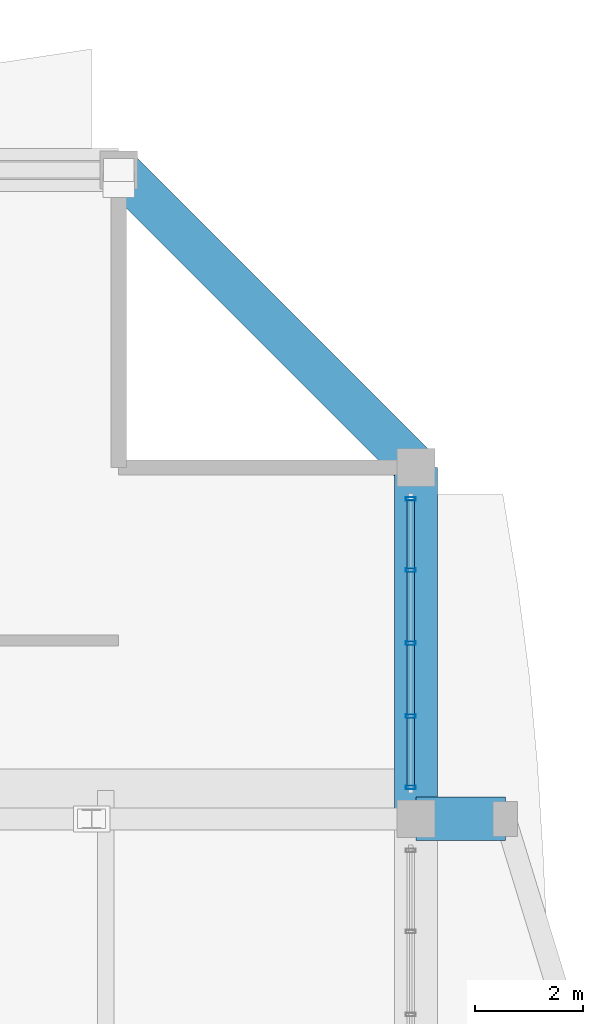
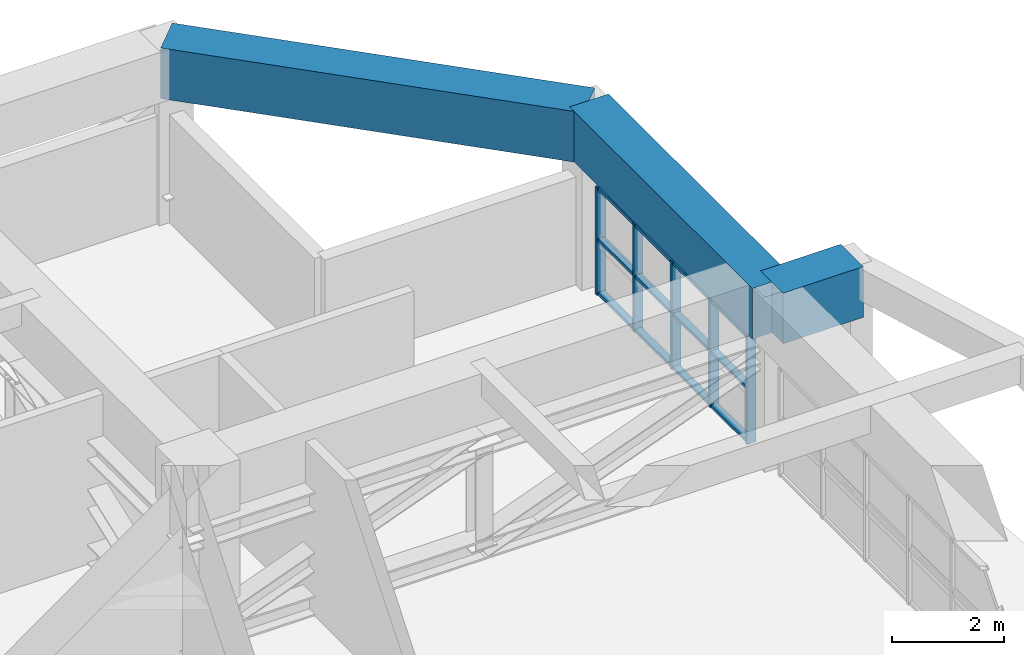
# One storey, part 18 of 25: 17 members, 3 beams, 1 element without a shape of its own.
"""IFC4 building model written with IfcOpenShell, lengths in metres."""

from ifc_helpers import new_model, si_unit, direction, frame, origin, origin_2d, place, context, subcontext, project, spatial, rectangle, hollow_rectangle, extrude, source, transform, mapped, material, layer, layer_set, material_profile, profile_set, type_object, element, aggregate, save


model = new_model("IFC4")

# Units and contexts
model_context = context("Model", 3, precision=1e-05, world=origin(), true_north=direction((0.0, 1.0)))
body_context = subcontext(model_context, "Body", "Model", "MODEL_VIEW")
ifc_project = project(units=[si_unit("LENGTHUNIT", "METRE"), si_unit("AREAUNIT", "SQUARE_METRE"), si_unit("VOLUMEUNIT", "CUBIC_METRE"), si_unit("PLANEANGLEUNIT", "RADIAN"), si_unit("MASSUNIT", "GRAM", prefix="KILO")], contexts=[model_context])

# Site, building, storey
site_placement = place(None, origin())
site = spatial("IfcSite", under=ifc_project, at=site_placement, CompositionType="ELEMENT")
building_placement = place(site_placement, origin())
building = spatial("IfcBuilding", under=site, at=building_placement, Name="Saelheon Loggia Tower", CompositionType="ELEMENT")
storey_placement = place(building_placement, frame((0.0, 0.0, 206.5)))
storey = spatial("IfcBuildingStorey", under=building, at=storey_placement, Name="L64", CompositionType="ELEMENT", Elevation=206.5)

# Beams
ifc_material_1 = material(Name="Concrete C50/60", Category="concrete")
ifc_material_profile_1 = material_profile(ifc_material_1, rectangle(XDim=0.800048828125, YDim=1.10009765625, at=origin_2d()), Name="RC-800x1100")
ifc_profile_set_1 = profile_set([ifc_material_profile_1], Name="Concrete C50/60")
beam_type = type_object("IfcBeamType", Name="Beam_PerimSetback_RC800x1100", PredefinedType="BEAM", material=ifc_profile_set_1)
shared_shape_1 = source(origin(), body_context, "Body", "SweptSolid", [
    extrude(rectangle(XDim=0.800048828125, YDim=1.10009765625, at=origin_2d()), origin(), (0.0, 0.0, 1.0), 1.64990234375),
])
beam_1_placement = place(storey_placement, frame((56.5, 36.0, 3.25), z_axis=(1.0, 0.0, 0.0), x_axis=(0.0, 1.0, 0.0)))
element("IfcBeam", 1, at=beam_1_placement, inside=storey, type_object=beam_type, Name="L64 Loggia Frame Tie Beam LP-E2", PredefinedType="BEAM", context=body_context, shape_type="MappedRepresentation", body=[
    mapped(shared_shape_1, transform((0.0, 0.0, 0.0), scale=1.0)),
])
shared_shape_2 = source(origin(), body_context, "Body", "SweptSolid", [
    extrude(rectangle(XDim=0.800048828125, YDim=1.10009765625, at=origin_2d()), origin(), (0.0, 0.0, 1.0), 6.5),
])
beam_2_placement = place(storey_placement, frame((56.5, 36.0, 3.25), z_axis=(0.0, 1.0, 0.0), x_axis=(-1.0, 0.0, 0.0)))
element("IfcBeam", 2, at=beam_2_placement, inside=storey, type_object=beam_type, Name="L64 Perimeter Frame Girder 07", PredefinedType="BEAM", context=body_context, shape_type="MappedRepresentation", body=[
    mapped(shared_shape_2, transform((0.0, 0.0, 0.0), scale=1.0)),
])
shared_shape_3 = source(origin(), body_context, "Body", "SweptSolid", [
    extrude(rectangle(XDim=0.800048828125, YDim=1.10009765625, at=origin_2d()), origin(), (0.0, 0.0, 1.0), 7.778076171875),
])
beam_3_placement = place(storey_placement, frame((56.5, 42.5, 3.25), z_axis=(-0.707106781187, 0.707106781187, 0.0), x_axis=(-0.707106781187, -0.707106781187, 0.0)))
element("IfcBeam", 3, at=beam_3_placement, inside=storey, type_object=beam_type, Name="L64 Perimeter Frame Girder 08", PredefinedType="BEAM", context=body_context, shape_type="MappedRepresentation", body=[
    mapped(shared_shape_3, transform((0.0, 0.0, 0.0), scale=1.0)),
])

# Curtain wall, members
ifc_material_2 = material(Name="Anodised Aluminium Acoustic Louvre Curtain Wall", Category="aluminium")
ifc_layer = layer(ifc_material_2, 0.179931640625)
ifc_layer_set = layer_set([ifc_layer], Name="Anodised Aluminium Acoustic Louvre Curtain Wall")
curtain_wall_type = type_object("IfcCurtainWallType", Name="CW_RefugeAcoustic", PredefinedType="NOTDEFINED", material=ifc_layer_set)
curtain_wall_placement = place(storey_placement, origin())
curtain_wall = element("IfcCurtainWall", 4, at=curtain_wall_placement, inside=storey, type_object=curtain_wall_type, Name="L64 E Refuge Acoustic Curtain Wall 3", PredefinedType="NOTDEFINED")
ifc_material_3 = material(Name="Anodised Aluminium 6063-T6", Category="aluminium")
ifc_material_profile_2 = material_profile(ifc_material_3, hollow_rectangle(XDim=0.06494140625, YDim=0.179931640625, WallThickness=0.00390625, at=origin_2d()), Name="RHS-180x65x4")
ifc_profile_set_2 = profile_set([ifc_material_profile_2], Name="Anodised Aluminium 6063-T6")
member_type_1 = type_object("IfcMemberType", Name="CW_RefugeAcoustic_Mullion", PredefinedType="MULLION", material=ifc_profile_set_2)
shared_shape_4 = source(origin(), body_context, "Body", "SweptSolid", [
    extrude(hollow_rectangle(XDim=0.06494140625, YDim=0.179931640625, WallThickness=0.00390625, at=origin_2d()), origin(), (0.0, 0.0, 1.0), 2.340087890625),
])
member_1_placement = place(storey_placement, frame((56.39990234375, 36.58251953125, 0.0), z_axis=(0.0, 0.0, 1.0), x_axis=(0.0, 1.0, 0.0)))
member_1 = element("IfcMember", 5, at=member_1_placement, type_object=member_type_1, Name="CW5 mullion 1", PredefinedType="MULLION", context=body_context, shape_type="MappedRepresentation", body=[
    mapped(shared_shape_4, transform((0.0, 0.0, 0.0), scale=1.0)),
])
member_2_placement = place(storey_placement, frame((56.39990234375, 37.89990234375, 0.0), z_axis=(0.0, 0.0, 1.0), x_axis=(0.0, 1.0, 0.0)))
member_2 = element("IfcMember", 6, at=member_2_placement, type_object=member_type_1, Name="CW5 mullion 2", PredefinedType="MULLION", context=body_context, shape_type="MappedRepresentation", body=[
    mapped(shared_shape_4, transform((0.0, 0.0, 0.0), scale=1.0)),
])
member_3_placement = place(storey_placement, frame((56.39990234375, 39.25, 0.0), z_axis=(0.0, 0.0, 1.0), x_axis=(0.0, 1.0, 0.0)))
member_3 = element("IfcMember", 7, at=member_3_placement, type_object=member_type_1, Name="CW5 mullion 3", PredefinedType="MULLION", context=body_context, shape_type="MappedRepresentation", body=[
    mapped(shared_shape_4, transform((0.0, 0.0, 0.0), scale=1.0)),
])
member_4_placement = place(storey_placement, frame((56.39990234375, 40.60009765625, 0.0), z_axis=(0.0, 0.0, 1.0), x_axis=(0.0, 1.0, 0.0)))
member_4 = element("IfcMember", 8, at=member_4_placement, type_object=member_type_1, Name="CW5 mullion 4", PredefinedType="MULLION", context=body_context, shape_type="MappedRepresentation", body=[
    mapped(shared_shape_4, transform((0.0, 0.0, 0.0), scale=1.0)),
])
member_5_placement = place(storey_placement, frame((56.39990234375, 41.91748046875, 0.0), z_axis=(0.0, 0.0, 1.0), x_axis=(0.0, 1.0, 0.0)))
member_5 = element("IfcMember", 9, at=member_5_placement, type_object=member_type_1, Name="CW5 mullion 5", PredefinedType="MULLION", context=body_context, shape_type="MappedRepresentation", body=[
    mapped(shared_shape_4, transform((0.0, 0.0, 0.0), scale=1.0)),
])
ifc_material_profile_3 = material_profile(ifc_material_3, hollow_rectangle(XDim=0.06494140625, YDim=0.139892578125, WallThickness=0.00390625, at=origin_2d()), Name="RHS-140x65x4")
ifc_profile_set_3 = profile_set([ifc_material_profile_3], Name="Anodised Aluminium 6063-T6")
member_type_2 = type_object("IfcMemberType", Name="CW_RefugeAcoustic_Transom", PredefinedType="USERDEFINED", material=ifc_profile_set_3)
shared_shape_5 = source(origin(), body_context, "Body", "SweptSolid", [
    extrude(hollow_rectangle(XDim=0.06494140625, YDim=0.139892578125, WallThickness=0.00390625, at=origin_2d()), origin(), (0.0, 0.0, 1.0), 1.25244140625),
])
member_6_placement = place(storey_placement, frame((56.39990234375, 36.614990234375, 0.032470703125), z_axis=(0.0, 1.0, 0.0), x_axis=(0.0, 0.0, 1.0)))
member_6 = element("IfcMember", 10, at=member_6_placement, type_object=member_type_2, Name="CW5 transom 1.1", ObjectType="TRANSOM", PredefinedType="USERDEFINED", context=body_context, shape_type="MappedRepresentation", body=[
    mapped(shared_shape_5, transform((0.0, 0.0, 0.0), scale=1.0)),
])
member_7_placement = place(storey_placement, frame((56.39990234375, 36.614990234375, 1.199951171875), z_axis=(0.0, 1.0, 0.0), x_axis=(0.0, 0.0, 1.0)))
member_7 = element("IfcMember", 11, at=member_7_placement, type_object=member_type_2, Name="CW5 transom 1.2", ObjectType="TRANSOM", PredefinedType="USERDEFINED", context=body_context, shape_type="MappedRepresentation", body=[
    mapped(shared_shape_5, transform((0.0, 0.0, 0.0), scale=1.0)),
])
member_8_placement = place(storey_placement, frame((56.39990234375, 36.614990234375, 2.3076171875), z_axis=(0.0, 1.0, 0.0), x_axis=(0.0, 0.0, 1.0)))
member_8 = element("IfcMember", 12, at=member_8_placement, type_object=member_type_2, Name="CW5 transom 1.3", ObjectType="TRANSOM", PredefinedType="USERDEFINED", context=body_context, shape_type="MappedRepresentation", body=[
    mapped(shared_shape_5, transform((0.0, 0.0, 0.0), scale=1.0)),
])
member_9_placement = place(storey_placement, frame((56.39990234375, 40.632568359375, 0.032470703125), z_axis=(0.0, 1.0, 0.0), x_axis=(0.0, 0.0, 1.0)))
member_9 = element("IfcMember", 13, at=member_9_placement, type_object=member_type_2, Name="CW5 transom 4.1", ObjectType="TRANSOM", PredefinedType="USERDEFINED", context=body_context, shape_type="MappedRepresentation", body=[
    mapped(shared_shape_5, transform((0.0, 0.0, 0.0), scale=1.0)),
])
member_10_placement = place(storey_placement, frame((56.39990234375, 40.632568359375, 1.199951171875), z_axis=(0.0, 1.0, 0.0), x_axis=(0.0, 0.0, 1.0)))
member_10 = element("IfcMember", 14, at=member_10_placement, type_object=member_type_2, Name="CW5 transom 4.2", ObjectType="TRANSOM", PredefinedType="USERDEFINED", context=body_context, shape_type="MappedRepresentation", body=[
    mapped(shared_shape_5, transform((0.0, 0.0, 0.0), scale=1.0)),
])
member_11_placement = place(storey_placement, frame((56.39990234375, 40.632568359375, 2.3076171875), z_axis=(0.0, 1.0, 0.0), x_axis=(0.0, 0.0, 1.0)))
member_11 = element("IfcMember", 15, at=member_11_placement, type_object=member_type_2, Name="CW5 transom 4.3", ObjectType="TRANSOM", PredefinedType="USERDEFINED", context=body_context, shape_type="MappedRepresentation", body=[
    mapped(shared_shape_5, transform((0.0, 0.0, 0.0), scale=1.0)),
])
shared_shape_6 = source(origin(), body_context, "Body", "SweptSolid", [
    extrude(hollow_rectangle(XDim=0.06494140625, YDim=0.139892578125, WallThickness=0.00390625, at=origin_2d()), origin(), (0.0, 0.0, 1.0), 1.284912109375),
])
member_12_placement = place(storey_placement, frame((56.39990234375, 37.9326171875, 0.032470703125), z_axis=(0.0, 1.0, 0.0), x_axis=(0.0, 0.0, 1.0)))
member_12 = element("IfcMember", 16, at=member_12_placement, type_object=member_type_2, Name="CW5 transom 2.1", ObjectType="TRANSOM", PredefinedType="USERDEFINED", context=body_context, shape_type="MappedRepresentation", body=[
    mapped(shared_shape_6, transform((0.0, 0.0, 0.0), scale=1.0)),
])
member_13_placement = place(storey_placement, frame((56.39990234375, 37.9326171875, 1.199951171875), z_axis=(0.0, 1.0, 0.0), x_axis=(0.0, 0.0, 1.0)))
member_13 = element("IfcMember", 17, at=member_13_placement, type_object=member_type_2, Name="CW5 transom 2.2", ObjectType="TRANSOM", PredefinedType="USERDEFINED", context=body_context, shape_type="MappedRepresentation", body=[
    mapped(shared_shape_6, transform((0.0, 0.0, 0.0), scale=1.0)),
])
member_14_placement = place(storey_placement, frame((56.39990234375, 37.9326171875, 2.3076171875), z_axis=(0.0, 1.0, 0.0), x_axis=(0.0, 0.0, 1.0)))
member_14 = element("IfcMember", 18, at=member_14_placement, type_object=member_type_2, Name="CW5 transom 2.3", ObjectType="TRANSOM", PredefinedType="USERDEFINED", context=body_context, shape_type="MappedRepresentation", body=[
    mapped(shared_shape_6, transform((0.0, 0.0, 0.0), scale=1.0)),
])
member_15_placement = place(storey_placement, frame((56.39990234375, 39.282470703125, 0.032470703125), z_axis=(0.0, 1.0, 0.0), x_axis=(0.0, 0.0, 1.0)))
member_15 = element("IfcMember", 19, at=member_15_placement, type_object=member_type_2, Name="CW5 transom 3.1", ObjectType="TRANSOM", PredefinedType="USERDEFINED", context=body_context, shape_type="MappedRepresentation", body=[
    mapped(shared_shape_6, transform((0.0, 0.0, 0.0), scale=1.0)),
])
member_16_placement = place(storey_placement, frame((56.39990234375, 39.282470703125, 1.199951171875), z_axis=(0.0, 1.0, 0.0), x_axis=(0.0, 0.0, 1.0)))
member_16 = element("IfcMember", 20, at=member_16_placement, type_object=member_type_2, Name="CW5 transom 3.2", ObjectType="TRANSOM", PredefinedType="USERDEFINED", context=body_context, shape_type="MappedRepresentation", body=[
    mapped(shared_shape_6, transform((0.0, 0.0, 0.0), scale=1.0)),
])
member_17_placement = place(storey_placement, frame((56.39990234375, 39.282470703125, 2.3076171875), z_axis=(0.0, 1.0, 0.0), x_axis=(0.0, 0.0, 1.0)))
member_17 = element("IfcMember", 21, at=member_17_placement, type_object=member_type_2, Name="CW5 transom 3.3", ObjectType="TRANSOM", PredefinedType="USERDEFINED", context=body_context, shape_type="MappedRepresentation", body=[
    mapped(shared_shape_6, transform((0.0, 0.0, 0.0), scale=1.0)),
])
aggregate(curtain_wall, [member_1, member_2, member_3, member_4, member_5, member_6, member_7, member_8, member_12, member_13, member_14, member_15, member_16, member_17, member_9, member_10, member_11])

save(model, "model.ifc")
